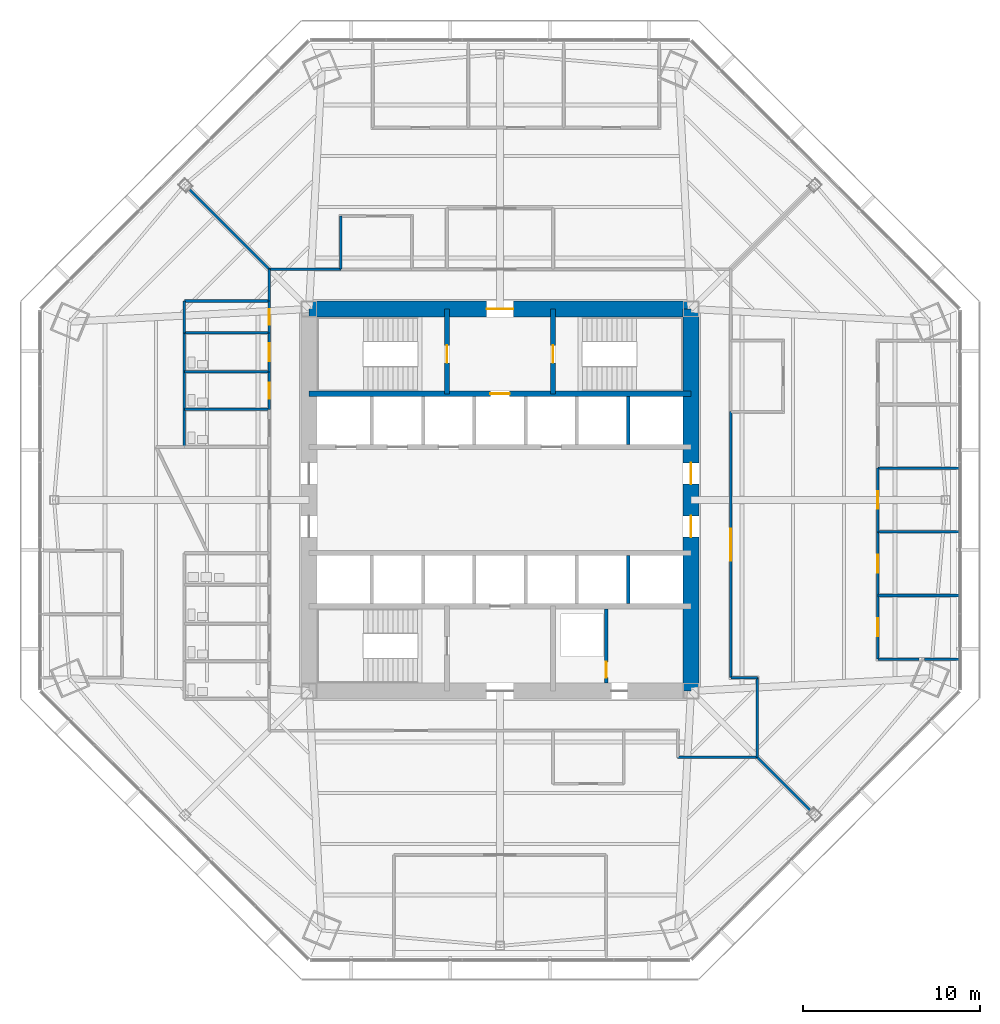
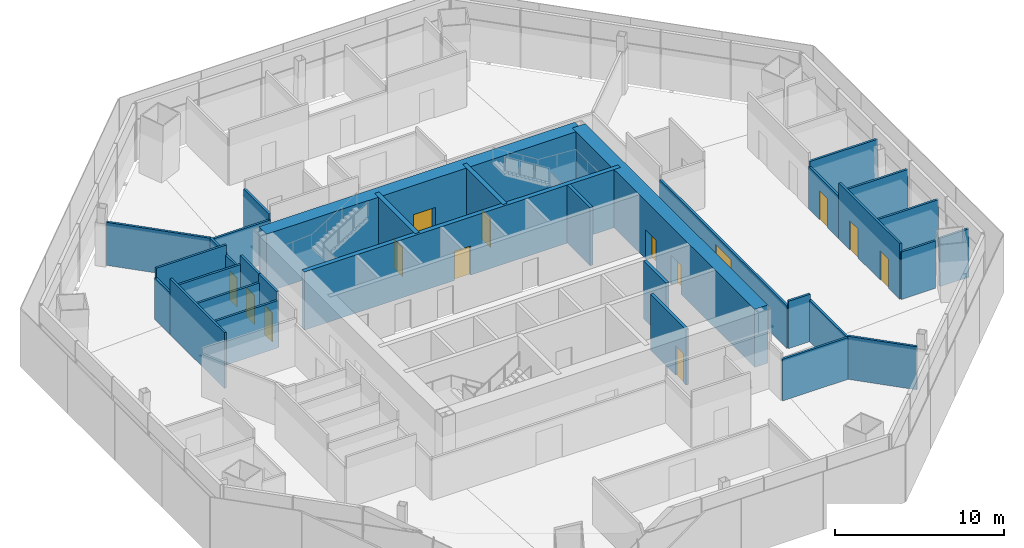
# One storey, part 10 of 15: 33 walls, 14 doors, 14 openings.
"""IFC4 building model written with IfcOpenShell, lengths in metres."""

from ifc_helpers import new_model, si_unit, direction, frame, frame_2d, origin, place, context, subcontext, project, spatial, rectangle, extrude, material, layer, layer_set, type_object, element, fill, save


model = new_model("IFC4")

# Units and contexts
model_context = context("Model", 3, precision=1e-05, world=origin(), true_north=direction((0.0, 1.0)))
body_context = subcontext(model_context, "Body", "Model", "MODEL_VIEW")
ifc_project = project(units=[si_unit("LENGTHUNIT", "METRE"), si_unit("AREAUNIT", "SQUARE_METRE"), si_unit("VOLUMEUNIT", "CUBIC_METRE"), si_unit("PLANEANGLEUNIT", "RADIAN"), si_unit("MASSUNIT", "GRAM", prefix="KILO")], contexts=[model_context])

# Site, building, storey
site_placement = place(None, origin())
site = spatial("IfcSite", under=ifc_project, at=site_placement, CompositionType="ELEMENT")
building_placement = place(site_placement, origin())
building = spatial("IfcBuilding", under=site, at=building_placement, Name="Mashrafa Tower", CompositionType="ELEMENT")
storey_placement = place(building_placement, frame((0.0, 0.0, 70.800048828125)))
storey = spatial("IfcBuildingStorey", under=building, at=storey_placement, Name="L15", CompositionType="ELEMENT", Elevation=70.800048828125)

# Wall, opening, door
ifc_material_1 = material(Name="Concrete masonry unit", Category="masonry")
ifc_layer_1 = layer(ifc_material_1, 0.199951171875)
ifc_layer_set_1 = layer_set([ifc_layer_1], Name="Blockwork wall 200 2 hr")
wall_type_1 = type_object("IfcWallType", Name="Blockwork wall 200 2 hr", PredefinedType="PARTITIONING", material=ifc_layer_set_1)
wall_1_placement = place(storey_placement, frame((6.0, -10.35009765625, 0.0), z_axis=(0.0, 0.0, 1.0), x_axis=(0.0, 1.0, 0.0)))
wall_1 = element("IfcWall", 1, at=wall_1_placement, inside=storey, type_object=wall_type_1, Name="Riser enclosure wall L15", PredefinedType="PARTITIONING", context=body_context, shape_type="SweptSolid", body=[
    extrude(rectangle(XDim=4.2001953125, YDim=0.199951171875, at=frame_2d((2.10009765625, 0.0))), origin(), (0.0, 0.0, 1.0), 4.034912109375),
])
opening_1_placement = place(wall_1_placement, frame((0.300048828125, 0.0, 0.0)))
opening_1 = element("IfcOpeningElement", 2, at=opening_1_placement, cuts=wall_1, Name="Opening 15.038", PredefinedType="OPENING", context=body_context, shape_type="SweptSolid", body=[
    extrude(rectangle(XDim=0.89990234375, YDim=2.10009765625, at=frame_2d((0.449951171875, 1.050048828125))), frame((0.0, 0.10986328125, 0.0), z_axis=(0.0, -1.0, 0.0), x_axis=(1.0, 0.0, 0.0)), (0.0, 0.0, 1.0), 0.219970703125),
])
ifc_material_2 = material(Name="Steel door", Category="steel")
door_type_1 = type_object("IfcDoorType", Name="Service door 900 x 2100 90 min", OperationType="USERDEFINED", PredefinedType="DOOR", material=ifc_material_2)
door_1_placement = place(opening_1_placement, origin())
door_1 = element("IfcDoor", 3, at=door_1_placement, inside=storey, type_object=door_type_1, Name="Riser door L15", OperationType="SINGLE_SWING_LEFT", OverallHeight=2.10009765625, OverallWidth=0.89990234375, PredefinedType="DOOR", context=body_context, shape_type="SweptSolid", body=[
    extrude(rectangle(XDim=0.89990234375, YDim=2.10009765625, at=frame_2d((0.449951171875, 1.050048828125))), frame((0.0, 0.02490234375, 0.0), z_axis=(0.0, -1.0, 0.0), x_axis=(1.0, 0.0, 0.0)), (0.0, 0.0, 1.0), 0.050048828125),
])
fill(opening_1, door_1)

ifc_material_3 = material(Name="Concrete C60/75", Category="concrete")
ifc_layer_2 = layer(ifc_material_3, 0.300048828125)
ifc_layer_set_2 = layer_set([ifc_layer_2], Name="Core wall 300 C60/75")
wall_type_2 = type_object("IfcWallType", Name="Core wall 300 C60/75", PredefinedType="SOLIDWALL", material=ifc_layer_set_2)
wall_2_placement = place(storey_placement, frame((-10.800048828125, 6.0, 0.0), z_axis=(0.0, 0.0, 1.0), x_axis=(1.0, 0.0, 0.0)))
wall_2 = element("IfcWall", 4, at=wall_2_placement, inside=storey, type_object=wall_type_2, Name="Core wall CB-N L15", PredefinedType="SOLIDWALL", context=body_context, shape_type="SweptSolid", body=[
    extrude(rectangle(XDim=21.60009765625, YDim=0.300048828125, at=frame_2d((10.800048828125, 0.0))), origin(), (0.0, 0.0, 1.0), 4.199951171875),
])
opening_2_placement = place(wall_2_placement, frame((10.25, 0.0, 0.0)))
opening_2 = element("IfcOpeningElement", 5, at=opening_2_placement, cuts=wall_2, Name="Opening 15.F1", PredefinedType="OPENING", context=body_context, shape_type="SweptSolid", body=[
    extrude(rectangle(XDim=1.10009765625, YDim=2.10009765625, at=frame_2d((0.550048828125, 1.050048828125))), frame((0.0, 0.159912109375, 0.0), z_axis=(0.0, -1.0, 0.0), x_axis=(1.0, 0.0, 0.0)), (0.0, 0.0, 1.0), 0.320068359375),
])
ifc_material_4 = material(Name="Steel door", Category="steel")
door_type_2 = type_object("IfcDoorType", Name="Lift landing door 1100 x 2100 90 min", OperationType="DOUBLE_DOOR_SLIDING", PredefinedType="DOOR", material=ifc_material_4)
door_2_placement = place(opening_2_placement, origin())
door_2 = element("IfcDoor", 6, at=door_2_placement, inside=storey, type_object=door_type_2, Name="Lift landing door F1 L15", OperationType="DOUBLE_DOOR_SLIDING", OverallHeight=2.10009765625, OverallWidth=1.10009765625, PredefinedType="DOOR", context=body_context, shape_type="SweptSolid", body=[
    extrude(rectangle(XDim=1.10009765625, YDim=2.10009765625, at=frame_2d((0.550048828125, 1.050048828125))), frame((0.0, 0.02490234375, 0.0), z_axis=(0.0, -1.0, 0.0), x_axis=(1.0, 0.0, 0.0)), (0.0, 0.0, 1.0), 0.050048828125),
])
fill(opening_2, door_2)

wall_3_placement = place(storey_placement, frame((-3.0, 6.0, 0.0), z_axis=(0.0, 0.0, 1.0), x_axis=(0.0, 1.0, 0.0)))
wall_3 = element("IfcWall", 7, at=wall_3_placement, inside=storey, type_object=wall_type_2, Name="Core wall CX-NW L15", PredefinedType="SOLIDWALL", context=body_context, shape_type="SweptSolid", body=[
    extrude(rectangle(XDim=4.800048828125, YDim=0.300048828125, at=frame_2d((2.39990234375, 0.0))), origin(), (0.0, 0.0, 1.0), 4.199951171875),
])
opening_3_placement = place(wall_3_placement, frame((1.75, 0.0, 0.0)))
opening_3 = element("IfcOpeningElement", 8, at=opening_3_placement, cuts=wall_3, Name="Opening 15.034", PredefinedType="OPENING", context=body_context, shape_type="SweptSolid", body=[
    extrude(rectangle(XDim=1.0, YDim=2.10009765625, at=frame_2d((0.5, 1.050048828125))), frame((0.0, 0.159912109375, 0.0), z_axis=(0.0, -1.0, 0.0), x_axis=(1.0, 0.0, 0.0)), (0.0, 0.0, 1.0), 0.320068359375),
])
ifc_material_5 = material(Name="Steel door", Category="steel")
door_type_3 = type_object("IfcDoorType", Name="Stair door 1000 x 2100 90 min", OperationType="USERDEFINED", PredefinedType="DOOR", material=ifc_material_5)
door_3_placement = place(opening_3_placement, origin())
door_3 = element("IfcDoor", 9, at=door_3_placement, inside=storey, type_object=door_type_3, Name="Stair S1 door L15", OperationType="SINGLE_SWING_LEFT", OverallHeight=2.10009765625, OverallWidth=1.0, PredefinedType="DOOR", context=body_context, shape_type="SweptSolid", body=[
    extrude(rectangle(XDim=1.0, YDim=2.10009765625, at=frame_2d((0.5, 1.050048828125))), frame((0.0, 0.02490234375, 0.0), z_axis=(0.0, -1.0, 0.0), x_axis=(1.0, 0.0, 0.0)), (0.0, 0.0, 1.0), 0.050048828125),
])
fill(opening_3, door_3)

wall_4_placement = place(storey_placement, frame((3.0, 6.0, 0.0), z_axis=(0.0, 0.0, 1.0), x_axis=(0.0, 1.0, 0.0)))
wall_4 = element("IfcWall", 10, at=wall_4_placement, inside=storey, type_object=wall_type_2, Name="Core wall CX-NE L15", PredefinedType="SOLIDWALL", context=body_context, shape_type="SweptSolid", body=[
    extrude(rectangle(XDim=4.800048828125, YDim=0.300048828125, at=frame_2d((2.39990234375, 0.0))), origin(), (0.0, 0.0, 1.0), 4.199951171875),
])
opening_4_placement = place(wall_4_placement, frame((1.75, 0.0, 0.0)))
opening_4 = element("IfcOpeningElement", 11, at=opening_4_placement, cuts=wall_4, Name="Opening 15.035", PredefinedType="OPENING", context=body_context, shape_type="SweptSolid", body=[
    extrude(rectangle(XDim=1.0, YDim=2.10009765625, at=frame_2d((0.5, 1.050048828125))), frame((0.0, 0.159912109375, 0.0), z_axis=(0.0, -1.0, 0.0), x_axis=(1.0, 0.0, 0.0)), (0.0, 0.0, 1.0), 0.320068359375),
])
door_4_placement = place(opening_4_placement, frame((1.0, 0.0, 0.0), z_axis=(0.0, 0.0, 1.0), x_axis=(-1.0, 0.0, 0.0)))
door_4 = element("IfcDoor", 12, at=door_4_placement, inside=storey, type_object=door_type_3, Name="Stair S2 door L15", OperationType="SINGLE_SWING_RIGHT", OverallHeight=2.10009765625, OverallWidth=1.0, PredefinedType="DOOR", context=body_context, shape_type="SweptSolid", body=[
    extrude(rectangle(XDim=1.0, YDim=2.10009765625, at=frame_2d((0.5, 1.050048828125))), frame((0.0, 0.02490234375, 0.0), z_axis=(0.0, -1.0, 0.0), x_axis=(1.0, 0.0, 0.0)), (0.0, 0.0, 1.0), 0.050048828125),
])
fill(opening_4, door_4)

# Wall, openings, doors
ifc_material_6 = material(Name="Concrete C60/75", Category="concrete")
ifc_layer_3 = layer(ifc_material_6, 0.89990234375)
ifc_layer_set_3 = layer_set([ifc_layer_3], Name="Core wall 900 C60/75")
wall_type_3 = type_object("IfcWallType", Name="Core wall 900 C60/75", PredefinedType="SOLIDWALL", material=ifc_layer_set_3)
wall_5_placement = place(storey_placement, frame((10.800048828125, -10.800048828125, 0.0), z_axis=(0.0, 0.0, 1.0), x_axis=(0.0, 1.0, 0.0)))
wall_5 = element("IfcWall", 13, at=wall_5_placement, inside=storey, type_object=wall_type_3, Name="Core wall CW-E L15", PredefinedType="SOLIDWALL", context=body_context, shape_type="SweptSolid", body=[
    extrude(rectangle(XDim=21.60009765625, YDim=0.89990234375, at=frame_2d((10.800048828125, 0.0))), origin(), (0.0, 0.0, 1.0), 4.199951171875),
])
opening_5_placement = place(wall_5_placement, frame((11.699951171875, 0.0, 0.0)))
opening_5 = element("IfcOpeningElement", 14, at=opening_5_placement, cuts=wall_5, Name="Opening 15.028", PredefinedType="OPENING", context=body_context, shape_type="SweptSolid", body=[
    extrude(rectangle(XDim=1.199951171875, YDim=2.10009765625, at=frame_2d((0.60009765625, 1.050048828125))), frame((0.0, 0.4599609375, 0.0), z_axis=(0.0, -1.0, 0.0), x_axis=(1.0, 0.0, 0.0)), (0.0, 0.0, 1.0), 0.919921875),
])
opening_6_placement = place(wall_5_placement, frame((8.699951171875, 0.0, 0.0)))
opening_6 = element("IfcOpeningElement", 15, at=opening_6_placement, cuts=wall_5, Name="Opening 15.030", PredefinedType="OPENING", context=body_context, shape_type="SweptSolid", body=[
    extrude(rectangle(XDim=1.199951171875, YDim=2.10009765625, at=frame_2d((0.60009765625, 1.050048828125))), frame((0.0, 0.4599609375, 0.0), z_axis=(0.0, -1.0, 0.0), x_axis=(1.0, 0.0, 0.0)), (0.0, 0.0, 1.0), 0.919921875),
])
ifc_material_7 = material(Name="Steel door", Category="steel")
door_type_4 = type_object("IfcDoorType", Name="Lift hall door 1200 x 2100 90 min", OperationType="USERDEFINED", PredefinedType="DOOR", material=ifc_material_7)
door_5_placement = place(opening_5_placement, frame((1.199951171875, 0.0, 0.0), z_axis=(0.0, 0.0, 1.0), x_axis=(-1.0, 0.0, 0.0)))
door_5 = element("IfcDoor", 16, at=door_5_placement, inside=storey, type_object=door_type_4, Name="Lift hall door east L15", OperationType="SINGLE_SWING_LEFT", OverallHeight=2.10009765625, OverallWidth=1.199951171875, PredefinedType="DOOR", context=body_context, shape_type="SweptSolid", body=[
    extrude(rectangle(XDim=1.199951171875, YDim=2.10009765625, at=frame_2d((0.60009765625, 1.050048828125))), frame((0.0, 0.02490234375, 0.0), z_axis=(0.0, -1.0, 0.0), x_axis=(1.0, 0.0, 0.0)), (0.0, 0.0, 1.0), 0.050048828125),
])
fill(opening_5, door_5)
door_6_placement = place(opening_6_placement, frame((1.199951171875, 0.0, 0.0), z_axis=(0.0, 0.0, 1.0), x_axis=(-1.0, 0.0, 0.0)))
door_6 = element("IfcDoor", 17, at=door_6_placement, inside=storey, type_object=door_type_4, Name="Lift hall door east L15", OperationType="SINGLE_SWING_RIGHT", OverallHeight=2.10009765625, OverallWidth=1.199951171875, PredefinedType="DOOR", context=body_context, shape_type="SweptSolid", body=[
    extrude(rectangle(XDim=1.199951171875, YDim=2.10009765625, at=frame_2d((0.60009765625, 1.050048828125))), frame((0.0, 0.02490234375, 0.0), z_axis=(0.0, -1.0, 0.0), x_axis=(1.0, 0.0, 0.0)), (0.0, 0.0, 1.0), 0.050048828125),
])
fill(opening_6, door_6)

# Wall, opening, door
wall_6_placement = place(storey_placement, frame((10.800048828125, 10.800048828125, 0.0), z_axis=(0.0, 0.0, 1.0), x_axis=(-1.0, 0.0, 0.0)))
wall_6 = element("IfcWall", 18, at=wall_6_placement, inside=storey, type_object=wall_type_3, Name="Core wall CW-N L15", PredefinedType="SOLIDWALL", context=body_context, shape_type="SweptSolid", body=[
    extrude(rectangle(XDim=21.60009765625, YDim=0.89990234375, at=frame_2d((10.800048828125, 0.0))), origin(), (0.0, 0.0, 1.0), 4.199951171875),
])
opening_7_placement = place(wall_6_placement, frame((10.050048828125, 0.0, 0.0)))
opening_7 = element("IfcOpeningElement", 19, at=opening_7_placement, cuts=wall_6, Name="Opening 15.032", PredefinedType="OPENING", context=body_context, shape_type="SweptSolid", body=[
    extrude(rectangle(XDim=1.5, YDim=2.10009765625, at=frame_2d((0.75, 1.050048828125))), frame((0.0, 0.4599609375, 0.0), z_axis=(0.0, -1.0, 0.0), x_axis=(1.0, 0.0, 0.0)), (0.0, 0.0, 1.0), 0.919921875),
])
ifc_material_8 = material(Name="Steel door", Category="steel")
door_type_5 = type_object("IfcDoorType", Name="Lobby door pair 1500 x 2100 90 min", OperationType="DOUBLE_DOOR_SINGLE_SWING", PredefinedType="DOOR", material=ifc_material_8)
door_7_placement = place(opening_7_placement, origin())
door_7 = element("IfcDoor", 20, at=door_7_placement, inside=storey, type_object=door_type_5, Name="Fire-fighting lobby F1 door L15", OperationType="DOUBLE_DOOR_SINGLE_SWING", OverallHeight=2.10009765625, OverallWidth=1.5, PredefinedType="DOOR", context=body_context, shape_type="SweptSolid", body=[
    extrude(rectangle(XDim=1.5, YDim=2.10009765625, at=frame_2d((0.75, 1.050048828125))), frame((0.0, 0.02490234375, 0.0), z_axis=(0.0, -1.0, 0.0), x_axis=(1.0, 0.0, 0.0)), (0.0, 0.0, 1.0), 0.050048828125),
])
fill(opening_7, door_7)

ifc_material_9 = material(Name="Gypsum board on steel studs", Category="steel")
ifc_layer_4 = layer(ifc_material_9, 0.14990234375)
ifc_layer_set_4 = layer_set([ifc_layer_4], Name="Corridor partition 150 1 hr")
wall_type_4 = type_object("IfcWallType", Name="Corridor partition 150 1 hr", PredefinedType="PARTITIONING", material=ifc_layer_set_4)
wall_7_placement = place(storey_placement, frame((-13.050048828125, 7.2509765625, 0.0), z_axis=(0.0, 0.0, 1.0), x_axis=(0.0, -1.0, 0.0)))
wall_7 = element("IfcWall", 21, at=wall_7_placement, inside=storey, type_object=wall_type_4, Name="Corridor wall L15-002", PredefinedType="PARTITIONING", context=body_context, shape_type="SweptSolid", body=[
    extrude(rectangle(XDim=2.126953125, YDim=0.14990234375, at=frame_2d((1.0634765625, 0.0))), origin(), (0.0, 0.0, 1.0), 4.034912109375),
])
opening_8_placement = place(wall_7_placement, frame((0.613525390625, 0.0, 0.0)))
opening_8 = element("IfcOpeningElement", 22, at=opening_8_placement, cuts=wall_7, Name="Opening 15.002", PredefinedType="OPENING", context=body_context, shape_type="SweptSolid", body=[
    extrude(rectangle(XDim=0.89990234375, YDim=2.10009765625, at=frame_2d((0.449951171875, 1.050048828125))), frame((0.0, 0.0849609375, 0.0), z_axis=(0.0, -1.0, 0.0), x_axis=(1.0, 0.0, 0.0)), (0.0, 0.0, 1.0), 0.169921875),
])
ifc_material_10 = material(Name="Timber door", Category="wood")
door_type_6 = type_object("IfcDoorType", Name="Toilet door 900 x 2100", OperationType="USERDEFINED", PredefinedType="DOOR", material=ifc_material_10)
door_8_placement = place(opening_8_placement, frame((0.89990234375, 0.0, 0.0), z_axis=(0.0, 0.0, 1.0), x_axis=(-1.0, 0.0, 0.0)))
door_8 = element("IfcDoor", 23, at=door_8_placement, inside=storey, type_object=door_type_6, Name="WC Male L15 N door", OperationType="SINGLE_SWING_LEFT", OverallHeight=2.10009765625, OverallWidth=0.89990234375, PredefinedType="DOOR", context=body_context, shape_type="SweptSolid", body=[
    extrude(rectangle(XDim=0.89990234375, YDim=2.10009765625, at=frame_2d((0.449951171875, 1.050048828125))), frame((0.0, 0.02490234375, 0.0), z_axis=(0.0, -1.0, 0.0), x_axis=(1.0, 0.0, 0.0)), (0.0, 0.0, 1.0), 0.050048828125),
])
fill(opening_8, door_8)

wall_8_placement = place(storey_placement, frame((-13.050048828125, 9.450927734375, 0.0), z_axis=(0.0, 0.0, 1.0), x_axis=(0.0, -1.0, 0.0)))
wall_8 = element("IfcWall", 24, at=wall_8_placement, inside=storey, type_object=wall_type_4, Name="Corridor wall L15-003", PredefinedType="PARTITIONING", context=body_context, shape_type="SweptSolid", body=[
    extrude(rectangle(XDim=2.201904296875, YDim=0.14990234375, at=frame_2d((1.10107421875, 0.0))), origin(), (0.0, 0.0, 1.0), 4.034912109375),
])
opening_9_placement = place(wall_8_placement, frame((0.60107421875, 0.0, 0.0)))
opening_9 = element("IfcOpeningElement", 25, at=opening_9_placement, cuts=wall_8, Name="Opening 15.003", PredefinedType="OPENING", context=body_context, shape_type="SweptSolid", body=[
    extrude(rectangle(XDim=1.0, YDim=2.10009765625, at=frame_2d((0.5, 1.050048828125))), frame((0.0, 0.0849609375, 0.0), z_axis=(0.0, -1.0, 0.0), x_axis=(1.0, 0.0, 0.0)), (0.0, 0.0, 1.0), 0.169921875),
])
ifc_material_11 = material(Name="Timber door", Category="wood")
door_type_7 = type_object("IfcDoorType", Name="Accessible toilet door 1000 x 2100", OperationType="USERDEFINED", PredefinedType="DOOR", material=ifc_material_11)
door_9_placement = place(opening_9_placement, frame((1.0, 0.0, 0.0), z_axis=(0.0, 0.0, 1.0), x_axis=(-1.0, 0.0, 0.0)))
door_9 = element("IfcDoor", 26, at=door_9_placement, inside=storey, type_object=door_type_7, Name="Accessible WC L15 N door", OperationType="SINGLE_SWING_RIGHT", OverallHeight=2.10009765625, OverallWidth=1.0, PredefinedType="DOOR", context=body_context, shape_type="SweptSolid", body=[
    extrude(rectangle(XDim=1.0, YDim=2.10009765625, at=frame_2d((0.5, 1.050048828125))), frame((0.0, 0.02490234375, 0.0), z_axis=(0.0, -1.0, 0.0), x_axis=(1.0, 0.0, 0.0)), (0.0, 0.0, 1.0), 0.050048828125),
])
fill(opening_9, door_9)

wall_9_placement = place(storey_placement, frame((-13.050048828125, 11.2509765625, 0.0), z_axis=(0.0, 0.0, 1.0), x_axis=(0.0, -1.0, 0.0)))
wall_9 = element("IfcWall", 27, at=wall_9_placement, inside=storey, type_object=wall_type_4, Name="Corridor wall L15-004", PredefinedType="PARTITIONING", context=body_context, shape_type="SweptSolid", body=[
    extrude(rectangle(XDim=1.802001953125, YDim=0.14990234375, at=frame_2d((0.90087890625, 0.0))), origin(), (0.0, 0.0, 1.0), 3.01416015625),
])
opening_10_placement = place(wall_9_placement, frame((0.450927734375, 0.0, 0.0)))
opening_10 = element("IfcOpeningElement", 28, at=opening_10_placement, cuts=wall_9, Name="Opening 15.004", PredefinedType="OPENING", context=body_context, shape_type="SweptSolid", body=[
    extrude(rectangle(XDim=0.89990234375, YDim=2.10009765625, at=frame_2d((0.449951171875, 1.050048828125))), frame((0.0, 0.0849609375, 0.0), z_axis=(0.0, -1.0, 0.0), x_axis=(1.0, 0.0, 0.0)), (0.0, 0.0, 1.0), 0.169921875),
])
ifc_material_12 = material(Name="Timber door", Category="wood")
door_type_8 = type_object("IfcDoorType", Name="Store door 900 x 2100", OperationType="USERDEFINED", PredefinedType="DOOR", material=ifc_material_12)
door_10_placement = place(opening_10_placement, frame((0.89990234375, 0.0, 0.0), z_axis=(0.0, 0.0, 1.0), x_axis=(-1.0, 0.0, 0.0)))
door_10 = element("IfcDoor", 29, at=door_10_placement, inside=storey, type_object=door_type_8, Name="Cleaner's Store L15 N door", OperationType="SINGLE_SWING_LEFT", OverallHeight=2.10009765625, OverallWidth=0.89990234375, PredefinedType="DOOR", context=body_context, shape_type="SweptSolid", body=[
    extrude(rectangle(XDim=0.89990234375, YDim=2.10009765625, at=frame_2d((0.449951171875, 1.050048828125))), frame((0.0, 0.02490234375, 0.0), z_axis=(0.0, -1.0, 0.0), x_axis=(1.0, 0.0, 0.0)), (0.0, 0.0, 1.0), 0.050048828125),
])
fill(opening_10, door_10)

# Walls
wall_10_placement = place(storey_placement, frame((-8.9990234375, 13.050048828125, 0.0), z_axis=(0.0, 0.0, 1.0), x_axis=(-1.0, 0.0, 0.0)))
element("IfcWall", 30, at=wall_10_placement, inside=storey, type_object=wall_type_4, Name="Corridor wall L15-014", PredefinedType="PARTITIONING", context=body_context, shape_type="SweptSolid", body=[
    extrude(rectangle(XDim=4.051025390625, YDim=0.14990234375, at=frame_2d((2.025390625, 0.0))), origin(), (0.0, 0.0, 1.0), 3.01416015625),
])
wall_11_placement = place(storey_placement, frame((14.550048828125, -14.550048828125, 0.0), z_axis=(0.0, 0.0, 1.0), x_axis=(0.0, 1.0, 0.0)))
element("IfcWall", 31, at=wall_11_placement, inside=storey, type_object=wall_type_4, Name="Corridor wall L15-018", PredefinedType="PARTITIONING", context=body_context, shape_type="SweptSolid", body=[
    extrude(rectangle(XDim=4.5, YDim=0.14990234375, at=frame_2d((2.25, 0.0))), origin(), (0.0, 0.0, 1.0), 3.01416015625),
])
wall_12_placement = place(storey_placement, frame((14.550048828125, -10.050048828125, 0.0), z_axis=(0.0, 0.0, 1.0), x_axis=(-1.0, 0.0, 0.0)))
element("IfcWall", 32, at=wall_12_placement, inside=storey, type_object=wall_type_4, Name="Corridor wall L15-019", PredefinedType="PARTITIONING", context=body_context, shape_type="SweptSolid", body=[
    extrude(rectangle(XDim=1.5, YDim=0.14990234375, at=frame_2d((0.75, 0.0))), origin(), (0.0, 0.0, 1.0), 3.4228515625),
])

# Wall, opening, door
wall_13_placement = place(storey_placement, frame((13.050048828125, -10.050048828125, 0.0), z_axis=(0.0, 0.0, 1.0), x_axis=(0.0, 1.0, 0.0)))
wall_13 = element("IfcWall", 33, at=wall_13_placement, inside=storey, type_object=wall_type_4, Name="Corridor wall L15-020", PredefinedType="PARTITIONING", context=body_context, shape_type="SweptSolid", body=[
    extrude(rectangle(XDim=15.051025390625, YDim=0.14990234375, at=frame_2d((7.525390625, 0.0))), origin(), (0.0, 0.0, 1.0), 3.06494140625),
])
opening_11_placement = place(wall_13_placement, frame((6.62548828125, 0.0, 0.0)))
opening_11 = element("IfcOpeningElement", 34, at=opening_11_placement, cuts=wall_13, Name="Opening 15.026", PredefinedType="OPENING", context=body_context, shape_type="SweptSolid", body=[
    extrude(rectangle(XDim=1.800048828125, YDim=2.39990234375, at=frame_2d((0.89990234375, 1.199951171875))), frame((0.0, 0.0849609375, 0.0), z_axis=(0.0, -1.0, 0.0), x_axis=(1.0, 0.0, 0.0)), (0.0, 0.0, 1.0), 0.169921875),
])
ifc_material_13 = material(Name="Timber door", Category="wood")
door_type_9 = type_object("IfcDoorType", Name="Door pair 1800 x 2400", OperationType="DOUBLE_DOOR_SINGLE_SWING", PredefinedType="DOOR", material=ifc_material_13)
door_11_placement = place(opening_11_placement, frame((1.800048828125, 0.0, 0.0), z_axis=(0.0, 0.0, 1.0), x_axis=(-1.0, 0.0, 0.0)))
door_11 = element("IfcDoor", 35, at=door_11_placement, inside=storey, type_object=door_type_9, Name="Office Tenancy 15-E door", OperationType="DOUBLE_DOOR_SINGLE_SWING", OverallHeight=2.39990234375, OverallWidth=1.800048828125, PredefinedType="DOOR", context=body_context, shape_type="SweptSolid", body=[
    extrude(rectangle(XDim=1.800048828125, YDim=2.39990234375, at=frame_2d((0.89990234375, 1.199951171875))), frame((0.0, 0.02490234375, 0.0), z_axis=(0.0, -1.0, 0.0), x_axis=(1.0, 0.0, 0.0)), (0.0, 0.0, 1.0), 0.050048828125),
])
fill(opening_11, door_11)

# Walls
wall_14_placement = place(storey_placement, frame((-13.050048828125, 13.050048828125, 0.0), z_axis=(0.0, 0.0, 1.0), x_axis=(0.0, -1.0, 0.0)))
element("IfcWall", 36, at=wall_14_placement, inside=storey, type_object=wall_type_4, Name="Corridor wall L15-023", PredefinedType="PARTITIONING", context=body_context, shape_type="SweptSolid", body=[
    extrude(rectangle(XDim=1.801025390625, YDim=0.14990234375, at=frame_2d((0.900390625, 0.0))), origin(), (0.0, 0.0, 1.0), 3.113037109375),
])
wall_15_placement = place(storey_placement, frame((10.050048828125, -14.550048828125, 0.0), z_axis=(0.0, 0.0, 1.0), x_axis=(1.0, 0.0, 0.0)))
element("IfcWall", 37, at=wall_15_placement, inside=storey, type_object=wall_type_4, Name="Corridor wall L15-026", PredefinedType="PARTITIONING", context=body_context, shape_type="SweptSolid", body=[
    extrude(rectangle(XDim=4.5, YDim=0.14990234375, at=frame_2d((2.25, 0.0))), origin(), (0.0, 0.0, 1.0), 3.01416015625),
])
ifc_material_14 = material(Name="Gypsum board on steel studs", Category="steel")
ifc_layer_5 = layer(ifc_material_14, 0.14990234375)
ifc_layer_set_5 = layer_set([ifc_layer_5], Name="Partition 150")
wall_type_5 = type_object("IfcWallType", Name="Partition 150", PredefinedType="PARTITIONING", material=ifc_layer_set_5)
wall_16_placement = place(storey_placement, frame((-13.050048828125, 5.125, 0.0), z_axis=(0.0, 0.0, 1.0), x_axis=(-1.0, 0.0, 0.0)))
element("IfcWall", 38, at=wall_16_placement, inside=storey, type_object=wall_type_5, Name="Partition wall L15-027", PredefinedType="PARTITIONING", context=body_context, shape_type="SweptSolid", body=[
    extrude(rectangle(XDim=4.800048828125, YDim=0.14990234375, at=frame_2d((2.39990234375, 0.0))), origin(), (0.0, 0.0, 1.0), 3.4228515625),
])
wall_17_placement = place(storey_placement, frame((-17.85009765625, 3.0, 0.0), z_axis=(0.0, 0.0, 1.0), x_axis=(0.0, 1.0, 0.0)))
element("IfcWall", 39, at=wall_17_placement, inside=storey, type_object=wall_type_5, Name="Partition wall L15-029", PredefinedType="PARTITIONING", context=body_context, shape_type="SweptSolid", body=[
    extrude(rectangle(XDim=6.449951171875, YDim=0.14990234375, at=frame_2d((3.22509765625, 0.0))), origin(), (0.0, 0.0, 1.0), 4.034912109375),
])
for number, where, z_axis, x_axis, name in (
    (40, (-13.050048828125, 7.25, 0.0), (0.0, 0.0, 1.0), (-1.0, 0.0, 0.0), "Partition wall L15-030"),
    (41, (-13.050048828125, 9.449951171875, 0.0), (0.0, 0.0, 1.0), (-1.0, 0.0, 0.0), "Partition wall L15-032"),
):
    element("IfcWall", number, at=place(storey_placement, frame(where, z_axis=z_axis, x_axis=x_axis)), inside=storey, type_object=wall_type_5, Name=name, PredefinedType="PARTITIONING", context=body_context, shape_type="SweptSolid", body=[
        extrude(rectangle(XDim=4.800048828125, YDim=0.14990234375, at=frame_2d((2.39990234375, 0.0))), origin(), (0.0, 0.0, 1.0), 3.4228515625),
    ])
wall_18_placement = place(storey_placement, frame((-13.050048828125, 11.25, 0.0), z_axis=(0.0, 0.0, 1.0), x_axis=(-1.0, 0.0, 0.0)))
element("IfcWall", 42, at=wall_18_placement, inside=storey, type_object=wall_type_5, Name="Partition wall L15-034", PredefinedType="PARTITIONING", context=body_context, shape_type="SweptSolid", body=[
    extrude(rectangle(XDim=4.800048828125, YDim=0.14990234375, at=frame_2d((2.39990234375, 0.0))), origin(), (0.0, 0.0, 1.0), 3.715087890625),
])
wall_19_placement = place(storey_placement, frame((-17.85009765625, 11.25, 0.0), z_axis=(0.0, 0.0, 1.0), x_axis=(0.0, -1.0, 0.0)))
element("IfcWall", 43, at=wall_19_placement, inside=storey, type_object=wall_type_5, Name="Partition wall L15-035", PredefinedType="PARTITIONING", context=body_context, shape_type="SweptSolid", body=[
    extrude(rectangle(XDim=1.800048828125, YDim=0.14990234375, at=frame_2d((0.89990234375, 0.0))), origin(), (0.0, 0.0, 1.0), 3.01416015625),
])
wall_20_placement = place(storey_placement, frame((-9.0, 16.050048828125, 0.0), z_axis=(0.0, 0.0, 1.0), x_axis=(0.0, -1.0, 0.0)))
element("IfcWall", 44, at=wall_20_placement, inside=storey, type_object=wall_type_5, Name="Partition wall L15-053", PredefinedType="PARTITIONING", context=body_context, shape_type="SweptSolid", body=[
    extrude(rectangle(XDim=3.0, YDim=0.14990234375, at=frame_2d((1.5, 0.0))), origin(), (0.0, 0.0, 1.0), 3.4228515625),
])
wall_21_placement = place(storey_placement, frame((25.993896484375, -5.39990234375, 0.0), z_axis=(0.0, 0.0, 1.0), x_axis=(-1.0, 0.0, 0.0)))
element("IfcWall", 45, at=wall_21_placement, inside=storey, type_object=wall_type_5, Name="Partition wall L15-071", PredefinedType="PARTITIONING", context=body_context, shape_type="SweptSolid", body=[
    extrude(rectangle(XDim=4.632080078125, YDim=0.14990234375, at=frame_2d((2.31591796875, 0.0))), origin(), (0.0, 0.0, 1.0), 3.4228515625),
])

# Wall, openings, doors
wall_22_placement = place(storey_placement, frame((21.36181640625, -9.0, 0.0), z_axis=(0.0, 0.0, 1.0), x_axis=(0.0, 1.0, 0.0)))
wall_22 = element("IfcWall", 46, at=wall_22_placement, inside=storey, type_object=wall_type_5, Name="Partition wall L15-072", PredefinedType="PARTITIONING", context=body_context, shape_type="SweptSolid", body=[
    extrude(rectangle(XDim=7.199951171875, YDim=0.14990234375, at=frame_2d((3.60009765625, 0.0))), origin(), (0.0, 0.0, 1.0), 4.034912109375),
])
opening_12_placement = place(wall_22_placement, frame((1.300048828125, 0.0, 0.0)))
opening_12 = element("IfcOpeningElement", 47, at=opening_12_placement, cuts=wall_22, Name="Opening 15.018", PredefinedType="OPENING", context=body_context, shape_type="SweptSolid", body=[
    extrude(rectangle(XDim=1.0, YDim=2.10009765625, at=frame_2d((0.5, 1.050048828125))), frame((0.0, 0.0849609375, 0.0), z_axis=(0.0, -1.0, 0.0), x_axis=(1.0, 0.0, 0.0)), (0.0, 0.0, 1.0), 0.169921875),
])
opening_13_placement = place(wall_22_placement, frame((4.89990234375, 0.0, 0.0)))
opening_13 = element("IfcOpeningElement", 48, at=opening_13_placement, cuts=wall_22, Name="Opening 15.019", PredefinedType="OPENING", context=body_context, shape_type="SweptSolid", body=[
    extrude(rectangle(XDim=1.0, YDim=2.10009765625, at=frame_2d((0.5, 1.050048828125))), frame((0.0, 0.0849609375, 0.0), z_axis=(0.0, -1.0, 0.0), x_axis=(1.0, 0.0, 0.0)), (0.0, 0.0, 1.0), 0.169921875),
])
ifc_material_15 = material(Name="Timber door", Category="wood")
door_type_10 = type_object("IfcDoorType", Name="Door 1000 x 2100", OperationType="USERDEFINED", PredefinedType="DOOR", material=ifc_material_15)
door_12_placement = place(opening_12_placement, frame((1.0, 0.0, 0.0), z_axis=(0.0, 0.0, 1.0), x_axis=(-1.0, 0.0, 0.0)))
door_12 = element("IfcDoor", 49, at=door_12_placement, inside=storey, type_object=door_type_10, Name="Office 15-E-1 door", OperationType="SINGLE_SWING_RIGHT", OverallHeight=2.10009765625, OverallWidth=1.0, PredefinedType="DOOR", context=body_context, shape_type="SweptSolid", body=[
    extrude(rectangle(XDim=1.0, YDim=2.10009765625, at=frame_2d((0.5, 1.050048828125))), frame((0.0, 0.02490234375, 0.0), z_axis=(0.0, -1.0, 0.0), x_axis=(1.0, 0.0, 0.0)), (0.0, 0.0, 1.0), 0.050048828125),
])
fill(opening_12, door_12)
door_13_placement = place(opening_13_placement, frame((1.0, 0.0, 0.0), z_axis=(0.0, 0.0, 1.0), x_axis=(-1.0, 0.0, 0.0)))
door_13 = element("IfcDoor", 50, at=door_13_placement, inside=storey, type_object=door_type_10, Name="Office 15-E-2 door", OperationType="SINGLE_SWING_RIGHT", OverallHeight=2.10009765625, OverallWidth=1.0, PredefinedType="DOOR", context=body_context, shape_type="SweptSolid", body=[
    extrude(rectangle(XDim=1.0, YDim=2.10009765625, at=frame_2d((0.5, 1.050048828125))), frame((0.0, 0.02490234375, 0.0), z_axis=(0.0, -1.0, 0.0), x_axis=(1.0, 0.0, 0.0)), (0.0, 0.0, 1.0), 0.050048828125),
])
fill(opening_13, door_13)

# Walls
wall_23_placement = place(storey_placement, frame((21.36181640625, -9.0, 0.0), z_axis=(0.0, 0.0, 1.0), x_axis=(1.0, 0.0, 0.0)))
element("IfcWall", 51, at=wall_23_placement, inside=storey, type_object=wall_type_5, Name="Partition wall L15-073", PredefinedType="PARTITIONING", context=body_context, shape_type="SweptSolid", body=[
    extrude(rectangle(XDim=2.338623046875, YDim=0.14990234375, at=frame_2d((1.16943359375, 0.0))), origin(), (0.0, 0.0, 1.0), 3.4228515625),
])
wall_24_placement = place(storey_placement, frame((23.998779296875, -9.0, 0.0), z_axis=(0.0, 0.0, 1.0), x_axis=(1.0, 0.0, 0.0)))
element("IfcWall", 52, at=wall_24_placement, inside=storey, type_object=wall_type_5, Name="Partition wall L15-074", PredefinedType="PARTITIONING", context=body_context, shape_type="SweptSolid", body=[
    extrude(rectangle(XDim=1.9951171875, YDim=0.14990234375, at=frame_2d((0.99755859375, 0.0))), origin(), (0.0, 0.0, 1.0), 3.49658203125),
])
for number, where, z_axis, x_axis, name in (
    (53, (25.993896484375, -1.800048828125, 0.0), (0.0, 0.0, 1.0), (-1.0, 0.0, 0.0), "Partition wall L15-075"),
    (54, (25.993896484375, 1.800048828125, 0.0), (0.0, 0.0, 1.0), (-1.0, 0.0, 0.0), "Partition wall L15-077"),
):
    element("IfcWall", number, at=place(storey_placement, frame(where, z_axis=z_axis, x_axis=x_axis)), inside=storey, type_object=wall_type_5, Name=name, PredefinedType="PARTITIONING", context=body_context, shape_type="SweptSolid", body=[
        extrude(rectangle(XDim=4.632080078125, YDim=0.14990234375, at=frame_2d((2.31591796875, 0.0))), origin(), (0.0, 0.0, 1.0), 3.4228515625),
    ])

# Wall, opening, door
wall_25_placement = place(storey_placement, frame((21.36181640625, 1.800048828125, 0.0), z_axis=(0.0, 0.0, 1.0), x_axis=(0.0, -1.0, 0.0)))
wall_25 = element("IfcWall", 55, at=wall_25_placement, inside=storey, type_object=wall_type_5, Name="Partition wall L15-078", PredefinedType="PARTITIONING", context=body_context, shape_type="SweptSolid", body=[
    extrude(rectangle(XDim=3.60009765625, YDim=0.14990234375, at=frame_2d((1.800048828125, 0.0))), origin(), (0.0, 0.0, 1.0), 3.06494140625),
])
opening_14_placement = place(wall_25_placement, frame((1.300048828125, 0.0, 0.0)))
opening_14 = element("IfcOpeningElement", 56, at=opening_14_placement, cuts=wall_25, Name="Opening 15.020", PredefinedType="OPENING", context=body_context, shape_type="SweptSolid", body=[
    extrude(rectangle(XDim=1.0, YDim=2.10009765625, at=frame_2d((0.5, 1.050048828125))), frame((0.0, 0.0849609375, 0.0), z_axis=(0.0, -1.0, 0.0), x_axis=(1.0, 0.0, 0.0)), (0.0, 0.0, 1.0), 0.169921875),
])
door_14_placement = place(opening_14_placement, origin())
door_14 = element("IfcDoor", 57, at=door_14_placement, inside=storey, type_object=door_type_10, Name="Office 15-E-3 door", OperationType="SINGLE_SWING_LEFT", OverallHeight=2.10009765625, OverallWidth=1.0, PredefinedType="DOOR", context=body_context, shape_type="SweptSolid", body=[
    extrude(rectangle(XDim=1.0, YDim=2.10009765625, at=frame_2d((0.5, 1.050048828125))), frame((0.0, 0.02490234375, 0.0), z_axis=(0.0, -1.0, 0.0), x_axis=(1.0, 0.0, 0.0)), (0.0, 0.0, 1.0), 0.050048828125),
])
fill(opening_14, door_14)

# Walls
wall_26_placement = place(storey_placement, frame((-17.55322265625, 17.55322265625, 0.0), z_axis=(0.0, 0.0, 1.0), x_axis=(0.707106781187, -0.707106781187, 0.0)))
element("IfcWall", 58, at=wall_26_placement, inside=storey, type_object=wall_type_5, Name="Partition wall L15-091", PredefinedType="PARTITIONING", context=body_context, shape_type="SweptSolid", body=[
    extrude(rectangle(XDim=6.368408203125, YDim=0.14990234375, at=frame_2d((3.18408203125, 0.0))), origin(), (0.0, 0.0, 1.0), 3.113037109375),
])
wall_27_placement = place(storey_placement, frame((14.550048828125, -14.550048828125, 0.0), z_axis=(0.0, 0.0, 1.0), x_axis=(0.707106781187, -0.707106781187, 0.0)))
element("IfcWall", 59, at=wall_27_placement, inside=storey, type_object=wall_type_5, Name="Partition wall L15-092", PredefinedType="PARTITIONING", context=body_context, shape_type="SweptSolid", body=[
    extrude(rectangle(XDim=4.2470703125, YDim=0.14990234375, at=frame_2d((2.12353515625, 0.0))), origin(), (0.0, 0.0, 1.0), 3.113037109375),
])
ifc_material_16 = material(Name="Gypsum shaft wall on steel studs", Category="steel")
ifc_layer_6 = layer(ifc_material_16, 0.199951171875)
ifc_layer_set_6 = layer_set([ifc_layer_6], Name="Shaft divider wall 200 2 hr")
wall_type_6 = type_object("IfcWallType", Name="Shaft divider wall 200 2 hr", PredefinedType="PARTITIONING", material=ifc_layer_set_6)
for number, where, z_axis, x_axis, name in (
    (60, (7.25, 3.14990234375, 0.0), (0.0, 0.0, 1.0), (0.0, 1.0, 0.0), "Shaft divider wall N6 L15"),
    (61, (7.25, -5.85009765625, 0.0), (0.0, 0.0, 1.0), (0.0, 1.0, 0.0), "Shaft divider wall S6 L15"),
):
    element("IfcWall", number, at=place(storey_placement, frame(where, z_axis=z_axis, x_axis=x_axis)), inside=storey, type_object=wall_type_6, Name=name, PredefinedType="PARTITIONING", context=body_context, shape_type="SweptSolid", body=[
        extrude(rectangle(XDim=2.7001953125, YDim=0.199951171875, at=frame_2d((1.35009765625, 0.0))), origin(), (0.0, 0.0, 1.0), 4.199951171875),
    ])

save(model, "model.ifc")
